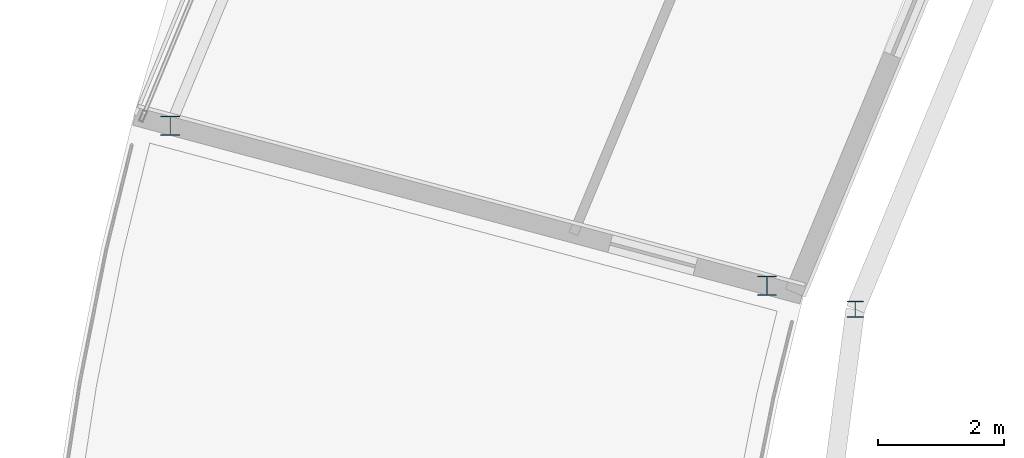
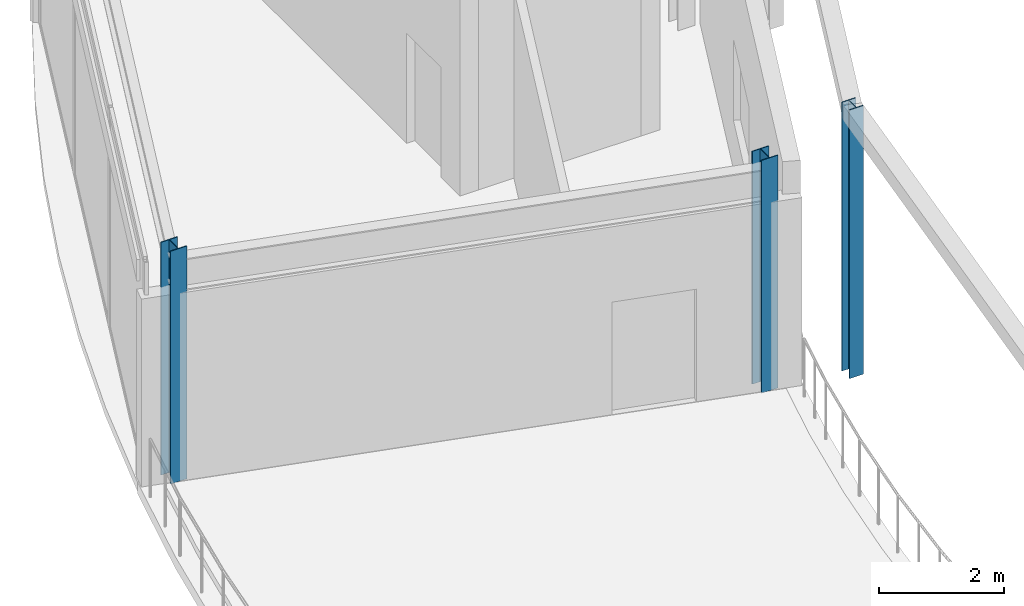
# One storey, part 2 of 89: 3 columns.
"""IFC4 building model written with IfcOpenShell, lengths in metres."""

from ifc_helpers import new_model, si_unit, direction, frame, origin, origin_2d, place, context, subcontext, project, spatial, i_section, extrude, material, material_profile, profile_set, type_object, element, save


model = new_model("IFC4")

# Units and contexts
model_context = context("Model", 3, precision=1e-05, world=origin(), true_north=direction((0.0, 1.0)))
body_context = subcontext(model_context, "Body", "Model", "MODEL_VIEW")
ifc_project = project(units=[si_unit("LENGTHUNIT", "METRE"), si_unit("AREAUNIT", "SQUARE_METRE"), si_unit("VOLUMEUNIT", "CUBIC_METRE"), si_unit("PLANEANGLEUNIT", "RADIAN"), si_unit("MASSUNIT", "GRAM", prefix="KILO")], contexts=[model_context])

# Site, building, storey
site_placement = place(None, origin())
site = spatial("IfcSite", under=ifc_project, at=site_placement, CompositionType="ELEMENT")
building_placement = place(site_placement, origin())
building = spatial("IfcBuilding", under=site, at=building_placement, Name="Almandine Court Research Institute", CompositionType="ELEMENT")
storey_placement = place(building_placement, frame((0.0, 0.0, 18.89990234375)))
storey = spatial("IfcBuildingStorey", under=building, at=storey_placement, Name="L04", CompositionType="ELEMENT", Elevation=18.89990234375)

# Columns
ifc_material = material(Name="Steel ASTM A992 Grade 50", Category="steel")
ifc_material_profile_1 = material_profile(ifc_material, i_section(OverallWidth=0.305908203125, OverallDepth=0.31103515625, WebThickness=0.010986328125, FlangeThickness=0.01708984375, at=origin_2d()), Name="W310x107")
ifc_profile_set_1 = profile_set([ifc_material_profile_1], Name="Steel ASTM A992 Grade 50")
column_type_1 = type_object("IfcColumnType", Name="Col-C-W08-E", PredefinedType="COLUMN", material=ifc_profile_set_1)
for number, where, z_axis, x_axis, name in (
    (1, (49.23193359375, 66.1201171875, 0.0), (0.0, 0.0, 1.0), (1.0, 0.0, 0.0), "L04 V5 Column V5-IN-S11"),
    (2, (39.76611328125, 68.656005859375, 0.0), (0.0, 0.0, 1.0), (1.0, 0.0, 0.0), "L04 V5 Column V5-OUT-S11"),
):
    element("IfcColumn", number, at=place(storey_placement, frame(where, z_axis=z_axis, x_axis=x_axis)), inside=storey, type_object=column_type_1, Name=name, PredefinedType="COLUMN", context=body_context, shape_type="SweptSolid", body=[
        extrude(i_section(OverallWidth=0.305908203125, OverallDepth=0.31103515625, WebThickness=0.010986328125, FlangeThickness=0.01708984375, at=origin_2d()), origin(), (0.0, 0.0, 1.0), 4.550048828125),
    ])
ifc_material_profile_2 = material_profile(ifc_material, i_section(OverallWidth=0.257080078125, OverallDepth=0.263916015625, WebThickness=0.011962890625, FlangeThickness=0.02001953125, at=origin_2d()), Name="W250x101")
ifc_profile_set_2 = profile_set([ifc_material_profile_2], Name="Steel ASTM A992 Grade 50")
column_type_2 = type_object("IfcColumnType", Name="Col-C-W09-E", PredefinedType="COLUMN", material=ifc_profile_set_2)
column_placement = place(storey_placement, frame((50.633056640625, 65.7451171875, 0.0), z_axis=(0.0, 0.0, 1.0), x_axis=(1.0, 0.0, 0.0)))
element("IfcColumn", 3, at=column_placement, inside=storey, type_object=column_type_2, Name="L04 V2 Column V2-OUT-S11", PredefinedType="COLUMN", context=body_context, shape_type="SweptSolid", body=[
    extrude(i_section(OverallWidth=0.257080078125, OverallDepth=0.263916015625, WebThickness=0.011962890625, FlangeThickness=0.02001953125, at=origin_2d()), origin(), (0.0, 0.0, 1.0), 5.25),
])

save(model, "model.ifc")
